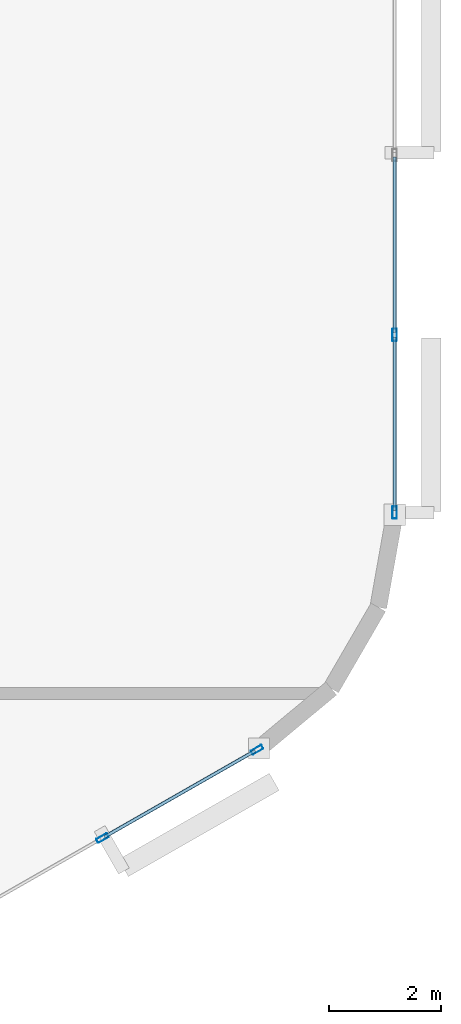
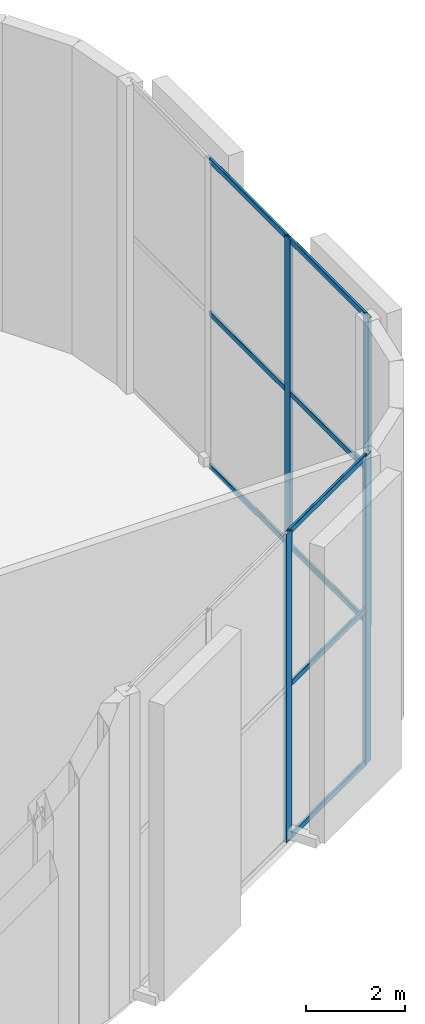
# One storey, part 14 of 22: 13 members, 2 elements without a shape of their own.
"""IFC4 building model written with IfcOpenShell, lengths in metres."""

from ifc_helpers import new_model, si_unit, direction, frame, origin, origin_2d, place, context, subcontext, project, spatial, hollow_rectangle, extrude, material, layer, layer_set, material_profile, profile_set, type_object, element, aggregate, save


model = new_model("IFC4")

# Units and contexts
model_context = context("Model", 3, precision=1e-05, world=origin(), true_north=direction((0.0, 1.0)))
body_context = subcontext(model_context, "Body", "Model", "MODEL_VIEW")
ifc_project = project(units=[si_unit("LENGTHUNIT", "METRE"), si_unit("AREAUNIT", "SQUARE_METRE"), si_unit("VOLUMEUNIT", "CUBIC_METRE"), si_unit("PLANEANGLEUNIT", "RADIAN"), si_unit("MASSUNIT", "GRAM", prefix="KILO")], contexts=[model_context])

# Site, building, storey
site_placement = place(None, origin())
site = spatial("IfcSite", under=ifc_project, at=site_placement, CompositionType="ELEMENT")
building_placement = place(site_placement, origin())
building = spatial("IfcBuilding", under=site, at=building_placement, Name="An Khanh Terracotta Commons", CompositionType="ELEMENT")
storey_placement = place(building_placement, frame((0.0, 0.0, 300.39990234375)))
storey = spatial("IfcBuildingStorey", under=building, at=storey_placement, Name="L78 Crown Damper Chamber", CompositionType="ELEMENT", Elevation=300.39990234375)

# Curtain wall, members
ifc_material = material(Name="Anodised Aluminium 6063-T6", Category="aluminium")
ifc_layer = layer(ifc_material, 0.25, Name="Anodised Aluminium 6063-T6")
ifc_layer_set = layer_set([ifc_layer], Name="Anodised Aluminium 6063-T6")
curtain_wall_type = type_object("IfcCurtainWallType", Name="CW-SYS-05", PredefinedType="USERDEFINED", material=ifc_layer_set)
curtain_wall_1_placement = place(storey_placement, origin())
curtain_wall_1 = element("IfcCurtainWall", 1, at=curtain_wall_1_placement, inside=storey, type_object=curtain_wall_type, Name="L78 Crown Damper Chamber CW-05 Unitised Curtain Wall CW-L78-08", ObjectType="UNITISED CURTAIN WALL", PredefinedType="USERDEFINED")
ifc_material_profile_1 = material_profile(ifc_material, hollow_rectangle(XDim=0.080078125, YDim=0.219970703125, WallThickness=0.0048828125, InnerFilletRadius=0.0048828125, OuterFilletRadius=0.010009765625, at=origin_2d()), Name="RHS220x80x5")
ifc_profile_set_1 = profile_set([ifc_material_profile_1], Name="Anodised Aluminium 6063-T6")
member_type_1 = type_object("IfcMemberType", Name="CWM-RHS220x80x5", PredefinedType="MULLION", material=ifc_profile_set_1)
member_1_placement = place(storey_placement, frame((68.189697265625, 13.422607421875, 0.0), z_axis=(0.0, 0.0, 1.0), x_axis=(-0.496205929228, 0.868204858198, 0.0)))
member_1 = element("IfcMember", 2, at=member_1_placement, type_object=member_type_1, Name="CW-05 mullion 3", PredefinedType="MULLION", context=body_context, shape_type="SweptSolid", body=[
    extrude(hollow_rectangle(XDim=0.080078125, YDim=0.219970703125, WallThickness=0.0048828125, InnerFilletRadius=0.0048828125, OuterFilletRadius=0.010009765625, at=origin_2d()), origin(), (0.0, 0.0, 1.0), 7.60009765625),
])
member_2_placement = place(storey_placement, frame((70.9462890625, 14.998046875, 0.0), z_axis=(0.0, 0.0, 1.0), x_axis=(-0.496205929228, 0.868204858198, 0.0)))
member_2 = element("IfcMember", 3, at=member_2_placement, type_object=member_type_1, Name="CW-05 mullion 4", PredefinedType="MULLION", context=body_context, shape_type="SweptSolid", body=[
    extrude(hollow_rectangle(XDim=0.080078125, YDim=0.219970703125, WallThickness=0.0048828125, InnerFilletRadius=0.0048828125, OuterFilletRadius=0.010009765625, at=origin_2d()), origin(), (0.0, 0.0, 1.0), 7.60009765625),
])

curtain_wall_2_placement = place(storey_placement, origin())
curtain_wall_2 = element("IfcCurtainWall", 4, at=curtain_wall_2_placement, inside=storey, type_object=curtain_wall_type, Name="L78 Crown Damper Chamber CW-05 Unitised Curtain Wall CW-L78-12", ObjectType="UNITISED CURTAIN WALL", PredefinedType="USERDEFINED")
member_3_placement = place(storey_placement, frame((73.39990234375, 19.22607421875, 0.0), z_axis=(0.0, 0.0, 1.0), x_axis=(-1.0, 0.0, 0.0)))
member_3 = element("IfcMember", 5, at=member_3_placement, type_object=member_type_1, Name="CW-05 mullion 1", PredefinedType="MULLION", context=body_context, shape_type="SweptSolid", body=[
    extrude(hollow_rectangle(XDim=0.080078125, YDim=0.219970703125, WallThickness=0.0048828125, InnerFilletRadius=0.0048828125, OuterFilletRadius=0.010009765625, at=origin_2d()), origin(), (0.0, 0.0, 1.0), 7.60009765625),
])
member_4_placement = place(storey_placement, frame((73.39990234375, 22.395263671875, 0.0), z_axis=(0.0, 0.0, 1.0), x_axis=(-1.0, 0.0, 0.0)))
member_4 = element("IfcMember", 6, at=member_4_placement, type_object=member_type_1, Name="CW-05 mullion 2", PredefinedType="MULLION", context=body_context, shape_type="SweptSolid", body=[
    extrude(hollow_rectangle(XDim=0.080078125, YDim=0.219970703125, WallThickness=0.0048828125, InnerFilletRadius=0.0048828125, OuterFilletRadius=0.010009765625, at=origin_2d()), origin(), (0.0, 0.0, 1.0), 7.60009765625),
])

# Member
ifc_material_profile_2 = material_profile(ifc_material, hollow_rectangle(XDim=0.06005859375, YDim=0.135009765625, WallThickness=0.003662109375, InnerFilletRadius=0.003662109375, OuterFilletRadius=0.007080078125, at=origin_2d()), Name="RHS135x60x3.6")
ifc_profile_set_2 = profile_set([ifc_material_profile_2], Name="Anodised Aluminium 6063-T6")
member_type_2 = type_object("IfcMemberType", Name="CWT-RHS135x60x3.6", PredefinedType="USERDEFINED", material=ifc_profile_set_2)
member_5_placement = place(storey_placement, frame((68.224365234375, 13.442626953125, 0.030029296875), z_axis=(0.868233433636, 0.496155927825, 0.0), x_axis=(-0.496155927825, 0.868233433636, 0.0)))
member_5 = element("IfcMember", 7, at=member_5_placement, type_object=member_type_2, Name="CW-05 transom 3.1", ObjectType="TRANSOM", PredefinedType="USERDEFINED", context=body_context, shape_type="SweptSolid", body=[
    extrude(hollow_rectangle(XDim=0.06005859375, YDim=0.135009765625, WallThickness=0.003662109375, InnerFilletRadius=0.003662109375, OuterFilletRadius=0.007080078125, at=origin_2d()), origin(), (0.0, 0.0, 1.0), 3.094970703125),
])

member_6_placement = place(storey_placement, frame((68.224365234375, 13.442626953125, 3.800048828125), z_axis=(0.868233433636, 0.496155927825, 0.0), x_axis=(-0.496155927825, 0.868233433636, 0.0)))
member_6 = element("IfcMember", 8, at=member_6_placement, type_object=member_type_2, Name="CW-05 transom 3.2", ObjectType="TRANSOM", PredefinedType="USERDEFINED", context=body_context, shape_type="SweptSolid", body=[
    extrude(hollow_rectangle(XDim=0.06005859375, YDim=0.135009765625, WallThickness=0.003662109375, InnerFilletRadius=0.003662109375, OuterFilletRadius=0.007080078125, at=origin_2d()), origin(), (0.0, 0.0, 1.0), 3.094970703125),
])

member_7_placement = place(storey_placement, frame((68.224365234375, 13.442626953125, 7.570068359375), z_axis=(0.868233433636, 0.496155927825, 0.0), x_axis=(-0.496155927825, 0.868233433636, 0.0)))
member_7 = element("IfcMember", 9, at=member_7_placement, type_object=member_type_2, Name="CW-05 transom 3.3", ObjectType="TRANSOM", PredefinedType="USERDEFINED", context=body_context, shape_type="SweptSolid", body=[
    extrude(hollow_rectangle(XDim=0.06005859375, YDim=0.135009765625, WallThickness=0.003662109375, InnerFilletRadius=0.003662109375, OuterFilletRadius=0.007080078125, at=origin_2d()), origin(), (0.0, 0.0, 1.0), 3.094970703125),
])

aggregate(curtain_wall_1, [member_1, member_2, member_5, member_6, member_7])

member_8_placement = place(storey_placement, frame((73.39990234375, 19.26611328125, 0.030029296875), z_axis=(0.0, 1.0, 0.0), x_axis=(-1.0, 0.0, 0.0)))
member_8 = element("IfcMember", 10, at=member_8_placement, type_object=member_type_2, Name="CW-05 transom 1.1", ObjectType="TRANSOM", PredefinedType="USERDEFINED", context=body_context, shape_type="SweptSolid", body=[
    extrude(hollow_rectangle(XDim=0.06005859375, YDim=0.135009765625, WallThickness=0.003662109375, InnerFilletRadius=0.003662109375, OuterFilletRadius=0.007080078125, at=origin_2d()), origin(), (0.0, 0.0, 1.0), 3.089111328125),
])

member_9_placement = place(storey_placement, frame((73.39990234375, 19.26611328125, 3.800048828125), z_axis=(0.0, 1.0, 0.0), x_axis=(-1.0, 0.0, 0.0)))
member_9 = element("IfcMember", 11, at=member_9_placement, type_object=member_type_2, Name="CW-05 transom 1.2", ObjectType="TRANSOM", PredefinedType="USERDEFINED", context=body_context, shape_type="SweptSolid", body=[
    extrude(hollow_rectangle(XDim=0.06005859375, YDim=0.135009765625, WallThickness=0.003662109375, InnerFilletRadius=0.003662109375, OuterFilletRadius=0.007080078125, at=origin_2d()), origin(), (0.0, 0.0, 1.0), 3.089111328125),
])

member_10_placement = place(storey_placement, frame((73.39990234375, 19.26611328125, 7.570068359375), z_axis=(0.0, 1.0, 0.0), x_axis=(-1.0, 0.0, 0.0)))
member_10 = element("IfcMember", 12, at=member_10_placement, type_object=member_type_2, Name="CW-05 transom 1.3", ObjectType="TRANSOM", PredefinedType="USERDEFINED", context=body_context, shape_type="SweptSolid", body=[
    extrude(hollow_rectangle(XDim=0.06005859375, YDim=0.135009765625, WallThickness=0.003662109375, InnerFilletRadius=0.003662109375, OuterFilletRadius=0.007080078125, at=origin_2d()), origin(), (0.0, 0.0, 1.0), 3.089111328125),
])

member_11_placement = place(storey_placement, frame((73.39990234375, 22.435302734375, 0.030029296875), z_axis=(0.0, 1.0, 0.0), x_axis=(-1.0, 0.0, 0.0)))
member_11 = element("IfcMember", 13, at=member_11_placement, type_object=member_type_2, Name="CW-05 transom 2.1", ObjectType="TRANSOM", PredefinedType="USERDEFINED", context=body_context, shape_type="SweptSolid", body=[
    extrude(hollow_rectangle(XDim=0.06005859375, YDim=0.135009765625, WallThickness=0.003662109375, InnerFilletRadius=0.003662109375, OuterFilletRadius=0.007080078125, at=origin_2d()), origin(), (0.0, 0.0, 1.0), 3.12939453125),
])

member_12_placement = place(storey_placement, frame((73.39990234375, 22.435302734375, 3.800048828125), z_axis=(0.0, 1.0, 0.0), x_axis=(-1.0, 0.0, 0.0)))
member_12 = element("IfcMember", 14, at=member_12_placement, type_object=member_type_2, Name="CW-05 transom 2.2", ObjectType="TRANSOM", PredefinedType="USERDEFINED", context=body_context, shape_type="SweptSolid", body=[
    extrude(hollow_rectangle(XDim=0.06005859375, YDim=0.135009765625, WallThickness=0.003662109375, InnerFilletRadius=0.003662109375, OuterFilletRadius=0.007080078125, at=origin_2d()), origin(), (0.0, 0.0, 1.0), 3.12939453125),
])

member_13_placement = place(storey_placement, frame((73.39990234375, 22.435302734375, 7.570068359375), z_axis=(0.0, 1.0, 0.0), x_axis=(-1.0, 0.0, 0.0)))
member_13 = element("IfcMember", 15, at=member_13_placement, type_object=member_type_2, Name="CW-05 transom 2.3", ObjectType="TRANSOM", PredefinedType="USERDEFINED", context=body_context, shape_type="SweptSolid", body=[
    extrude(hollow_rectangle(XDim=0.06005859375, YDim=0.135009765625, WallThickness=0.003662109375, InnerFilletRadius=0.003662109375, OuterFilletRadius=0.007080078125, at=origin_2d()), origin(), (0.0, 0.0, 1.0), 3.12939453125),
])

aggregate(curtain_wall_2, [member_3, member_4, member_8, member_9, member_10, member_11, member_12, member_13])

save(model, "model.ifc")
